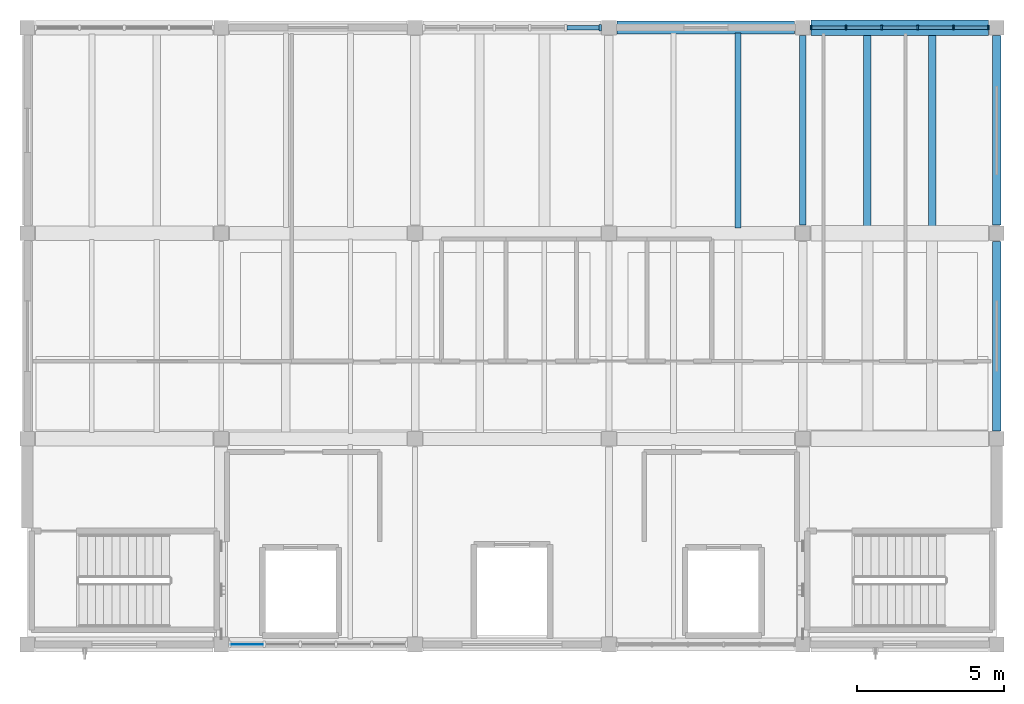
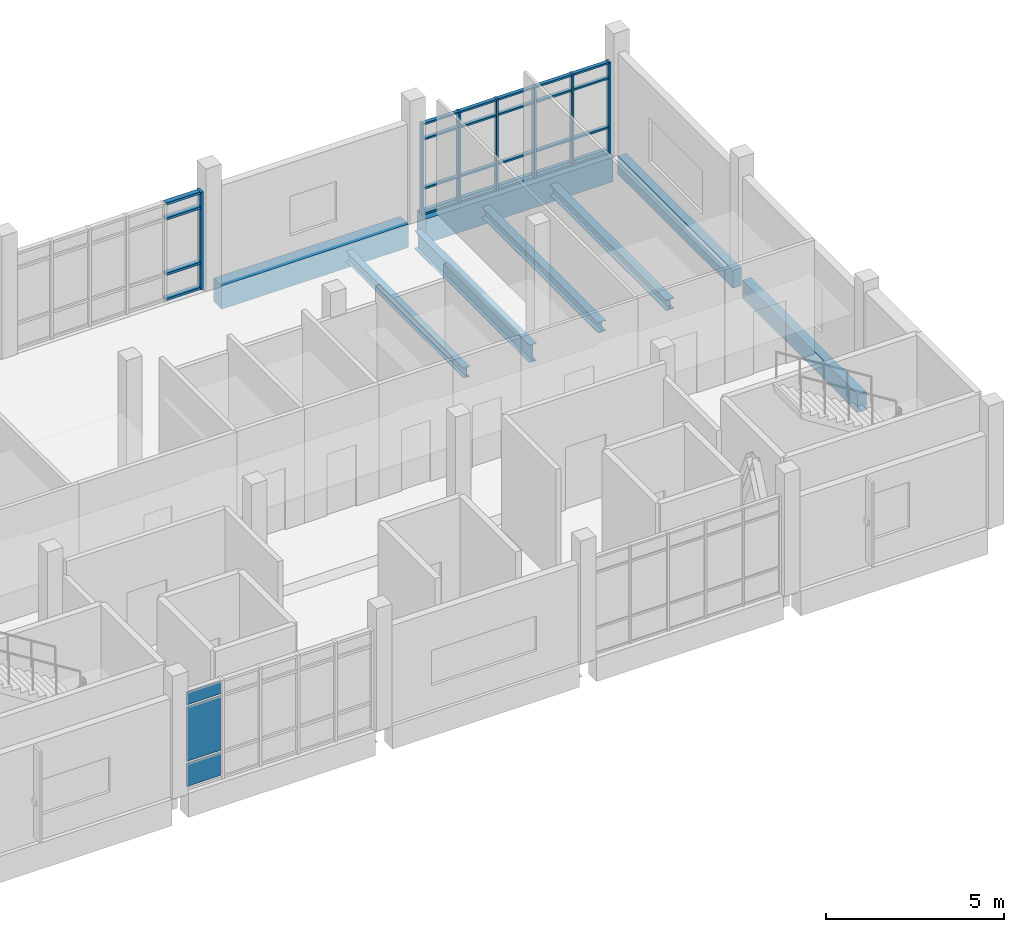
# One storey, part 4 of 10: 31 members, 8 beams, 3 plates, 3 elements without a shape of their own.
"""IFC4 building model written with IfcOpenShell, lengths in metres."""

from ifc_helpers import new_model, si_unit, direction, frame, origin, origin_2d, place, context, subcontext, project, spatial, rectangle, i_section, extrude, material, layer, layer_set, material_profile, profile_set, type_object, element, aggregate, save


model = new_model("IFC4")

# Units and contexts
model_context = context("Model", 3, precision=1e-05, world=origin(), true_north=direction((0.0, 1.0)))
body_context = subcontext(model_context, "Body", "Model", "MODEL_VIEW")
ifc_project = project(units=[si_unit("LENGTHUNIT", "METRE"), si_unit("AREAUNIT", "SQUARE_METRE"), si_unit("VOLUMEUNIT", "CUBIC_METRE"), si_unit("PLANEANGLEUNIT", "RADIAN"), si_unit("MASSUNIT", "GRAM", prefix="KILO")], contexts=[model_context])

# Site, building, storey
site_placement = place(None, origin())
site = spatial("IfcSite", under=ifc_project, at=site_placement, CompositionType="ELEMENT")
building_placement = place(site_placement, origin())
building = spatial("IfcBuilding", under=site, at=building_placement, Name="Ciguamira Faculty of Natural Sciences", CompositionType="ELEMENT")
storey_placement = place(building_placement, frame((0.0, 0.0, 42.0)))
storey = spatial("IfcBuildingStorey", under=building, at=storey_placement, Name="L10", CompositionType="ELEMENT", Elevation=42.0)

# Curtain wall, members
ifc_material_1 = material(Name="Anodized aluminium curtain wall", Category="aluminium")
curtain_wall_type_1 = type_object("IfcCurtainWallType", Name="CurtainWall_CW-01", PredefinedType="USERDEFINED", material=ifc_material_1)
curtain_wall_1_placement = place(storey_placement, origin())
curtain_wall_1 = element("IfcCurtainWall", 1, at=curtain_wall_1_placement, inside=storey, type_object=curtain_wall_type_1, Name="L10 unitised curtain wall 0169", ObjectType="UNITISED CURTAIN WALL", PredefinedType="USERDEFINED")
ifc_material_2 = material(Name="Anodized aluminium mullion", Category="aluminium")
ifc_material_profile_1 = material_profile(ifc_material_2, rectangle(XDim=0.06005859375, YDim=0.159912109375, at=origin_2d()), Name="ALU-MUL-60X160")
ifc_profile_set_1 = profile_set([ifc_material_profile_1], Name="Anodized aluminium mullion")
member_type_1 = type_object("IfcMemberType", Name="CWMullion_CWM-01", PredefinedType="MULLION", material=ifc_profile_set_1)
member_1_placement = place(storey_placement, frame((97.179931640625, 115.0, 0.0), z_axis=(0.0, 0.0, 1.0), x_axis=(1.0, 0.0, 0.0)))
member_1 = element("IfcMember", 2, at=member_1_placement, type_object=member_type_1, Name="CW-01 mullion 1", PredefinedType="MULLION", context=body_context, shape_type="SweptSolid", body=[
    extrude(rectangle(XDim=0.06005859375, YDim=0.159912109375, at=origin_2d()), origin(), (0.0, 0.0, 1.0), 3.135009765625),
])
member_2_placement = place(storey_placement, frame((98.3701171875, 115.0, 0.0), z_axis=(0.0, 0.0, 1.0), x_axis=(1.0, 0.0, 0.0)))
member_2 = element("IfcMember", 3, at=member_2_placement, type_object=member_type_1, Name="CW-01 mullion 2", PredefinedType="MULLION", context=body_context, shape_type="SweptSolid", body=[
    extrude(rectangle(XDim=0.06005859375, YDim=0.159912109375, at=origin_2d()), origin(), (0.0, 0.0, 1.0), 3.135009765625),
])
member_3_placement = place(storey_placement, frame((99.590087890625, 115.0, 0.0), z_axis=(0.0, 0.0, 1.0), x_axis=(1.0, 0.0, 0.0)))
member_3 = element("IfcMember", 4, at=member_3_placement, type_object=member_type_1, Name="CW-01 mullion 3", PredefinedType="MULLION", context=body_context, shape_type="SweptSolid", body=[
    extrude(rectangle(XDim=0.06005859375, YDim=0.159912109375, at=origin_2d()), origin(), (0.0, 0.0, 1.0), 3.135009765625),
])
member_4_placement = place(storey_placement, frame((100.81005859375, 115.0, 0.0), z_axis=(0.0, 0.0, 1.0), x_axis=(1.0, 0.0, 0.0)))
member_4 = element("IfcMember", 5, at=member_4_placement, type_object=member_type_1, Name="CW-01 mullion 4", PredefinedType="MULLION", context=body_context, shape_type="SweptSolid", body=[
    extrude(rectangle(XDim=0.06005859375, YDim=0.159912109375, at=origin_2d()), origin(), (0.0, 0.0, 1.0), 3.135009765625),
])
member_5_placement = place(storey_placement, frame((102.030029296875, 115.0, 0.0), z_axis=(0.0, 0.0, 1.0), x_axis=(1.0, 0.0, 0.0)))
member_5 = element("IfcMember", 6, at=member_5_placement, type_object=member_type_1, Name="CW-01 mullion 5", PredefinedType="MULLION", context=body_context, shape_type="SweptSolid", body=[
    extrude(rectangle(XDim=0.06005859375, YDim=0.159912109375, at=origin_2d()), origin(), (0.0, 0.0, 1.0), 3.135009765625),
])
member_6_placement = place(storey_placement, frame((103.219970703125, 115.0, 0.0), z_axis=(0.0, 0.0, 1.0), x_axis=(1.0, 0.0, 0.0)))
member_6 = element("IfcMember", 7, at=member_6_placement, type_object=member_type_1, Name="CW-01 mullion 6", PredefinedType="MULLION", context=body_context, shape_type="SweptSolid", body=[
    extrude(rectangle(XDim=0.06005859375, YDim=0.159912109375, at=origin_2d()), origin(), (0.0, 0.0, 1.0), 3.135009765625),
])

# Curtain wall, member
curtain_wall_type_2 = type_object("IfcCurtainWallType", Name="CurtainWall_CW-12", PredefinedType="USERDEFINED", material=ifc_material_1)
curtain_wall_2_placement = place(storey_placement, origin())
curtain_wall_2 = element("IfcCurtainWall", 8, at=curtain_wall_2_placement, inside=storey, type_object=curtain_wall_type_2, Name="L10 unitised curtain wall 0168", ObjectType="UNITISED CURTAIN WALL", PredefinedType="USERDEFINED")
ifc_material_profile_2 = material_profile(ifc_material_2, rectangle(XDim=0.080078125, YDim=0.219970703125, at=origin_2d()), Name="ALU-MUL-80X220")
ifc_profile_set_2 = profile_set([ifc_material_profile_2], Name="Anodized aluminium mullion")
member_type_2 = type_object("IfcMemberType", Name="CWMullion_CWM-03", PredefinedType="MULLION", material=ifc_profile_set_2)
member_7_placement = place(storey_placement, frame((90.010009765625, 115.0, 0.0), z_axis=(0.0, 0.0, 1.0), x_axis=(1.0, 0.0, 0.0)))
member_7 = element("IfcMember", 9, at=member_7_placement, type_object=member_type_2, Name="CW-12 mullion 6", PredefinedType="MULLION", context=body_context, shape_type="SweptSolid", body=[
    extrude(rectangle(XDim=0.080078125, YDim=0.219970703125, at=origin_2d()), origin(), (0.0, 0.0, 1.0), 3.344970703125),
])

# Member
ifc_material_3 = material(Name="Anodized aluminium transom", Category="aluminium")
ifc_material_profile_3 = material_profile(ifc_material_3, rectangle(XDim=0.06005859375, YDim=0.1201171875, at=origin_2d()), Name="ALU-TRN-60X120")
ifc_profile_set_3 = profile_set([ifc_material_profile_3], Name="Anodized aluminium transom")
member_type_3 = type_object("IfcMemberType", Name="CWTransom_CWT-01", PredefinedType="USERDEFINED", material=ifc_profile_set_3)
member_8_placement = place(storey_placement, frame((97.2099609375, 115.0, 0.030029296875), z_axis=(1.0, 0.0, 0.0), x_axis=(0.0, 0.0, 1.0)))
member_8 = element("IfcMember", 10, at=member_8_placement, type_object=member_type_3, Name="CW-01 transom 1.1", ObjectType="TRANSOM", PredefinedType="USERDEFINED", context=body_context, shape_type="SweptSolid", body=[
    extrude(rectangle(XDim=0.06005859375, YDim=0.1201171875, at=origin_2d()), origin(), (0.0, 0.0, 1.0), 1.130126953125),
])

member_9_placement = place(storey_placement, frame((97.2099609375, 115.0, 0.89990234375), z_axis=(1.0, 0.0, 0.0), x_axis=(0.0, 0.0, 1.0)))
member_9 = element("IfcMember", 11, at=member_9_placement, type_object=member_type_3, Name="CW-01 transom 1.2", ObjectType="TRANSOM", PredefinedType="USERDEFINED", context=body_context, shape_type="SweptSolid", body=[
    extrude(rectangle(XDim=0.06005859375, YDim=0.1201171875, at=origin_2d()), origin(), (0.0, 0.0, 1.0), 1.130126953125),
])

member_10_placement = place(storey_placement, frame((97.2099609375, 115.0, 2.5849609375), z_axis=(1.0, 0.0, 0.0), x_axis=(0.0, 0.0, 1.0)))
member_10 = element("IfcMember", 12, at=member_10_placement, type_object=member_type_3, Name="CW-01 transom 1.3", ObjectType="TRANSOM", PredefinedType="USERDEFINED", context=body_context, shape_type="SweptSolid", body=[
    extrude(rectangle(XDim=0.06005859375, YDim=0.1201171875, at=origin_2d()), origin(), (0.0, 0.0, 1.0), 1.130126953125),
])

member_11_placement = place(storey_placement, frame((97.2099609375, 115.0, 3.10498046875), z_axis=(1.0, 0.0, 0.0), x_axis=(0.0, 0.0, 1.0)))
member_11 = element("IfcMember", 13, at=member_11_placement, type_object=member_type_3, Name="CW-01 transom 1.4", ObjectType="TRANSOM", PredefinedType="USERDEFINED", context=body_context, shape_type="SweptSolid", body=[
    extrude(rectangle(XDim=0.06005859375, YDim=0.1201171875, at=origin_2d()), origin(), (0.0, 0.0, 1.0), 1.130126953125),
])

member_12_placement = place(storey_placement, frame((98.39990234375, 115.0, 0.030029296875), z_axis=(1.0, 0.0, 0.0), x_axis=(0.0, 0.0, 1.0)))
member_12 = element("IfcMember", 14, at=member_12_placement, type_object=member_type_3, Name="CW-01 transom 2.1", ObjectType="TRANSOM", PredefinedType="USERDEFINED", context=body_context, shape_type="SweptSolid", body=[
    extrude(rectangle(XDim=0.06005859375, YDim=0.1201171875, at=origin_2d()), origin(), (0.0, 0.0, 1.0), 1.16015625),
])

member_13_placement = place(storey_placement, frame((98.39990234375, 115.0, 0.89990234375), z_axis=(1.0, 0.0, 0.0), x_axis=(0.0, 0.0, 1.0)))
member_13 = element("IfcMember", 15, at=member_13_placement, type_object=member_type_3, Name="CW-01 transom 2.2", ObjectType="TRANSOM", PredefinedType="USERDEFINED", context=body_context, shape_type="SweptSolid", body=[
    extrude(rectangle(XDim=0.06005859375, YDim=0.1201171875, at=origin_2d()), origin(), (0.0, 0.0, 1.0), 1.16015625),
])

member_14_placement = place(storey_placement, frame((98.39990234375, 115.0, 2.5849609375), z_axis=(1.0, 0.0, 0.0), x_axis=(0.0, 0.0, 1.0)))
member_14 = element("IfcMember", 16, at=member_14_placement, type_object=member_type_3, Name="CW-01 transom 2.3", ObjectType="TRANSOM", PredefinedType="USERDEFINED", context=body_context, shape_type="SweptSolid", body=[
    extrude(rectangle(XDim=0.06005859375, YDim=0.1201171875, at=origin_2d()), origin(), (0.0, 0.0, 1.0), 1.16015625),
])

member_15_placement = place(storey_placement, frame((98.39990234375, 115.0, 3.10498046875), z_axis=(1.0, 0.0, 0.0), x_axis=(0.0, 0.0, 1.0)))
member_15 = element("IfcMember", 17, at=member_15_placement, type_object=member_type_3, Name="CW-01 transom 2.4", ObjectType="TRANSOM", PredefinedType="USERDEFINED", context=body_context, shape_type="SweptSolid", body=[
    extrude(rectangle(XDim=0.06005859375, YDim=0.1201171875, at=origin_2d()), origin(), (0.0, 0.0, 1.0), 1.16015625),
])

member_16_placement = place(storey_placement, frame((99.6201171875, 115.0, 0.030029296875), z_axis=(1.0, 0.0, 0.0), x_axis=(0.0, 0.0, 1.0)))
member_16 = element("IfcMember", 18, at=member_16_placement, type_object=member_type_3, Name="CW-01 transom 3.1", ObjectType="TRANSOM", PredefinedType="USERDEFINED", context=body_context, shape_type="SweptSolid", body=[
    extrude(rectangle(XDim=0.06005859375, YDim=0.1201171875, at=origin_2d()), origin(), (0.0, 0.0, 1.0), 1.159912109375),
])

member_17_placement = place(storey_placement, frame((99.6201171875, 115.0, 0.89990234375), z_axis=(1.0, 0.0, 0.0), x_axis=(0.0, 0.0, 1.0)))
member_17 = element("IfcMember", 19, at=member_17_placement, type_object=member_type_3, Name="CW-01 transom 3.2", ObjectType="TRANSOM", PredefinedType="USERDEFINED", context=body_context, shape_type="SweptSolid", body=[
    extrude(rectangle(XDim=0.06005859375, YDim=0.1201171875, at=origin_2d()), origin(), (0.0, 0.0, 1.0), 1.159912109375),
])

member_18_placement = place(storey_placement, frame((99.6201171875, 115.0, 2.5849609375), z_axis=(1.0, 0.0, 0.0), x_axis=(0.0, 0.0, 1.0)))
member_18 = element("IfcMember", 20, at=member_18_placement, type_object=member_type_3, Name="CW-01 transom 3.3", ObjectType="TRANSOM", PredefinedType="USERDEFINED", context=body_context, shape_type="SweptSolid", body=[
    extrude(rectangle(XDim=0.06005859375, YDim=0.1201171875, at=origin_2d()), origin(), (0.0, 0.0, 1.0), 1.159912109375),
])

member_19_placement = place(storey_placement, frame((99.6201171875, 115.0, 3.10498046875), z_axis=(1.0, 0.0, 0.0), x_axis=(0.0, 0.0, 1.0)))
member_19 = element("IfcMember", 21, at=member_19_placement, type_object=member_type_3, Name="CW-01 transom 3.4", ObjectType="TRANSOM", PredefinedType="USERDEFINED", context=body_context, shape_type="SweptSolid", body=[
    extrude(rectangle(XDim=0.06005859375, YDim=0.1201171875, at=origin_2d()), origin(), (0.0, 0.0, 1.0), 1.159912109375),
])

member_20_placement = place(storey_placement, frame((100.840087890625, 115.0, 0.030029296875), z_axis=(1.0, 0.0, 0.0), x_axis=(0.0, 0.0, 1.0)))
member_20 = element("IfcMember", 22, at=member_20_placement, type_object=member_type_3, Name="CW-01 transom 4.1", ObjectType="TRANSOM", PredefinedType="USERDEFINED", context=body_context, shape_type="SweptSolid", body=[
    extrude(rectangle(XDim=0.06005859375, YDim=0.1201171875, at=origin_2d()), origin(), (0.0, 0.0, 1.0), 1.159912109375),
])

member_21_placement = place(storey_placement, frame((100.840087890625, 115.0, 0.89990234375), z_axis=(1.0, 0.0, 0.0), x_axis=(0.0, 0.0, 1.0)))
member_21 = element("IfcMember", 23, at=member_21_placement, type_object=member_type_3, Name="CW-01 transom 4.2", ObjectType="TRANSOM", PredefinedType="USERDEFINED", context=body_context, shape_type="SweptSolid", body=[
    extrude(rectangle(XDim=0.06005859375, YDim=0.1201171875, at=origin_2d()), origin(), (0.0, 0.0, 1.0), 1.159912109375),
])

member_22_placement = place(storey_placement, frame((100.840087890625, 115.0, 2.5849609375), z_axis=(1.0, 0.0, 0.0), x_axis=(0.0, 0.0, 1.0)))
member_22 = element("IfcMember", 24, at=member_22_placement, type_object=member_type_3, Name="CW-01 transom 4.3", ObjectType="TRANSOM", PredefinedType="USERDEFINED", context=body_context, shape_type="SweptSolid", body=[
    extrude(rectangle(XDim=0.06005859375, YDim=0.1201171875, at=origin_2d()), origin(), (0.0, 0.0, 1.0), 1.159912109375),
])

member_23_placement = place(storey_placement, frame((100.840087890625, 115.0, 3.10498046875), z_axis=(1.0, 0.0, 0.0), x_axis=(0.0, 0.0, 1.0)))
member_23 = element("IfcMember", 25, at=member_23_placement, type_object=member_type_3, Name="CW-01 transom 4.4", ObjectType="TRANSOM", PredefinedType="USERDEFINED", context=body_context, shape_type="SweptSolid", body=[
    extrude(rectangle(XDim=0.06005859375, YDim=0.1201171875, at=origin_2d()), origin(), (0.0, 0.0, 1.0), 1.159912109375),
])

member_24_placement = place(storey_placement, frame((102.06005859375, 115.0, 0.030029296875), z_axis=(1.0, 0.0, 0.0), x_axis=(0.0, 0.0, 1.0)))
member_24 = element("IfcMember", 26, at=member_24_placement, type_object=member_type_3, Name="CW-01 transom 5.1", ObjectType="TRANSOM", PredefinedType="USERDEFINED", context=body_context, shape_type="SweptSolid", body=[
    extrude(rectangle(XDim=0.06005859375, YDim=0.1201171875, at=origin_2d()), origin(), (0.0, 0.0, 1.0), 1.1298828125),
])

member_25_placement = place(storey_placement, frame((102.06005859375, 115.0, 0.89990234375), z_axis=(1.0, 0.0, 0.0), x_axis=(0.0, 0.0, 1.0)))
member_25 = element("IfcMember", 27, at=member_25_placement, type_object=member_type_3, Name="CW-01 transom 5.2", ObjectType="TRANSOM", PredefinedType="USERDEFINED", context=body_context, shape_type="SweptSolid", body=[
    extrude(rectangle(XDim=0.06005859375, YDim=0.1201171875, at=origin_2d()), origin(), (0.0, 0.0, 1.0), 1.1298828125),
])

member_26_placement = place(storey_placement, frame((102.06005859375, 115.0, 2.5849609375), z_axis=(1.0, 0.0, 0.0), x_axis=(0.0, 0.0, 1.0)))
member_26 = element("IfcMember", 28, at=member_26_placement, type_object=member_type_3, Name="CW-01 transom 5.3", ObjectType="TRANSOM", PredefinedType="USERDEFINED", context=body_context, shape_type="SweptSolid", body=[
    extrude(rectangle(XDim=0.06005859375, YDim=0.1201171875, at=origin_2d()), origin(), (0.0, 0.0, 1.0), 1.1298828125),
])

member_27_placement = place(storey_placement, frame((102.06005859375, 115.0, 3.10498046875), z_axis=(1.0, 0.0, 0.0), x_axis=(0.0, 0.0, 1.0)))
member_27 = element("IfcMember", 29, at=member_27_placement, type_object=member_type_3, Name="CW-01 transom 5.4", ObjectType="TRANSOM", PredefinedType="USERDEFINED", context=body_context, shape_type="SweptSolid", body=[
    extrude(rectangle(XDim=0.06005859375, YDim=0.1201171875, at=origin_2d()), origin(), (0.0, 0.0, 1.0), 1.1298828125),
])

aggregate(curtain_wall_1, [member_1, member_2, member_3, member_4, member_5, member_6, member_8, member_9, member_10, member_11, member_12, member_13, member_14, member_15, member_16, member_17, member_18, member_19, member_20, member_21, member_22, member_23, member_24, member_25, member_26, member_27])

ifc_material_profile_4 = material_profile(ifc_material_3, rectangle(XDim=0.080078125, YDim=0.159912109375, at=origin_2d()), Name="ALU-TRN-80X160")
ifc_profile_set_4 = profile_set([ifc_material_profile_4], Name="Anodized aluminium transom")
member_type_4 = type_object("IfcMemberType", Name="CWTransom_CWT-03", PredefinedType="USERDEFINED", material=ifc_profile_set_4)
member_28_placement = place(storey_placement, frame((88.8701171875, 115.0, 0.0400390625), z_axis=(1.0, 0.0, 0.0), x_axis=(0.0, 0.0, 1.0)))
member_28 = element("IfcMember", 30, at=member_28_placement, type_object=member_type_4, Name="CW-12 transom 5.1", ObjectType="TRANSOM", PredefinedType="USERDEFINED", context=body_context, shape_type="SweptSolid", body=[
    extrude(rectangle(XDim=0.080078125, YDim=0.159912109375, at=origin_2d()), origin(), (0.0, 0.0, 1.0), 1.099853515625),
])

member_29_placement = place(storey_placement, frame((88.8701171875, 115.0, 0.89990234375), z_axis=(1.0, 0.0, 0.0), x_axis=(0.0, 0.0, 1.0)))
member_29 = element("IfcMember", 31, at=member_29_placement, type_object=member_type_4, Name="CW-12 transom 5.2", ObjectType="TRANSOM", PredefinedType="USERDEFINED", context=body_context, shape_type="SweptSolid", body=[
    extrude(rectangle(XDim=0.080078125, YDim=0.159912109375, at=origin_2d()), origin(), (0.0, 0.0, 1.0), 1.099853515625),
])

member_30_placement = place(storey_placement, frame((88.8701171875, 115.0, 2.794921875), z_axis=(1.0, 0.0, 0.0), x_axis=(0.0, 0.0, 1.0)))
member_30 = element("IfcMember", 32, at=member_30_placement, type_object=member_type_4, Name="CW-12 transom 5.3", ObjectType="TRANSOM", PredefinedType="USERDEFINED", context=body_context, shape_type="SweptSolid", body=[
    extrude(rectangle(XDim=0.080078125, YDim=0.159912109375, at=origin_2d()), origin(), (0.0, 0.0, 1.0), 1.099853515625),
])

member_31_placement = place(storey_placement, frame((88.8701171875, 115.0, 3.304931640625), z_axis=(1.0, 0.0, 0.0), x_axis=(0.0, 0.0, 1.0)))
member_31 = element("IfcMember", 33, at=member_31_placement, type_object=member_type_4, Name="CW-12 transom 5.4", ObjectType="TRANSOM", PredefinedType="USERDEFINED", context=body_context, shape_type="SweptSolid", body=[
    extrude(rectangle(XDim=0.080078125, YDim=0.159912109375, at=origin_2d()), origin(), (0.0, 0.0, 1.0), 1.099853515625),
])

aggregate(curtain_wall_2, [member_7, member_28, member_29, member_30, member_31])

# Beams
ifc_material_4 = material(Name="Concrete C40/50", Category="concrete")
ifc_material_profile_5 = material_profile(ifc_material_4, rectangle(XDim=0.449951171875, YDim=0.800048828125, at=origin_2d()), Name="RC-BM-450X800")
ifc_profile_set_5 = profile_set([ifc_material_profile_5], Name="Concrete C40/50")
beam_type_1 = type_object("IfcBeamType", Name="RCBeam_BG-05_RC-BM-450X800", PredefinedType="BEAM", material=ifc_profile_set_5)
beam_1_placement = place(storey_placement, frame((90.574951171875, 115.0, -0.39990234375), z_axis=(1.0, 0.0, 0.0), x_axis=(0.0, 1.0, 0.0)))
element("IfcBeam", 34, at=beam_1_placement, inside=storey, type_object=beam_type_1, Name="L10 RC girder EW-1692", PredefinedType="BEAM", context=body_context, shape_type="SweptSolid", body=[
    extrude(rectangle(XDim=0.449951171875, YDim=0.800048828125, at=origin_2d()), origin(), (0.0, 0.0, 1.0), 6.050048828125),
])
ifc_material_5 = material(Name="Precast concrete C40/50", Category="concrete")
ifc_material_profile_6 = material_profile(ifc_material_5, rectangle(XDim=0.280029296875, YDim=0.6201171875, at=origin_2d()), Name="RC-SP-280X620")
ifc_profile_set_6 = profile_set([ifc_material_profile_6], Name="Precast concrete C40/50")
beam_type_2 = type_object("IfcBeamType", Name="RCBeam_SP-01_RC-SP-280X620", PredefinedType="SPANDREL", material=ifc_profile_set_6)
for number, where, z_axis, x_axis, name in (
    (35, (103.5, 101.27490234375, -0.31005859375), (0.0, 1.0, 0.0), (-1.0, 0.0, 0.0), "L10 girder NS-1706"),
    (36, (103.5, 108.27490234375, -0.31005859375), (0.0, 1.0, 0.0), (-1.0, 0.0, 0.0), "L10 girder NS-1707"),
):
    element("IfcBeam", number, at=place(storey_placement, frame(where, z_axis=z_axis, x_axis=x_axis)), inside=storey, type_object=beam_type_2, Name=name, PredefinedType="SPANDREL", context=body_context, shape_type="SweptSolid", body=[
        extrude(rectangle(XDim=0.280029296875, YDim=0.6201171875, at=origin_2d()), origin(), (0.0, 0.0, 1.0), 6.4501953125),
    ])
ifc_material_profile_7 = material_profile(ifc_material_4, rectangle(XDim=0.52001953125, YDim=0.840087890625, at=origin_2d()), Name="RC-TB-520X840")
ifc_profile_set_7 = profile_set([ifc_material_profile_7], Name="Concrete C40/50")
beam_type_3 = type_object("IfcBeamType", Name="RCBeam_TB-02_RC-TB-520X840", PredefinedType="T_BEAM", material=ifc_profile_set_7)
beam_2_placement = place(storey_placement, frame((97.175048828125, 115.0, -0.419921875), z_axis=(1.0, 0.0, 0.0), x_axis=(0.0, 1.0, 0.0)))
element("IfcBeam", 37, at=beam_2_placement, inside=storey, type_object=beam_type_3, Name="L10 RC girder EW-1693", PredefinedType="T_BEAM", context=body_context, shape_type="SweptSolid", body=[
    extrude(rectangle(XDim=0.52001953125, YDim=0.840087890625, at=origin_2d()), origin(), (0.0, 0.0, 1.0), 6.050048828125),
])
ifc_material_6 = material(Name="Steel ASTM A992 Grade 50", Category="steel")
ifc_material_profile_8 = material_profile(ifc_material_6, i_section(OverallWidth=0.227783203125, OverallDepth=0.60205078125, WebThickness=0.010498046875, FlangeThickness=0.014892578125, at=origin_2d()), Name="W24X68")
ifc_profile_set_8 = profile_set([ifc_material_profile_8], Name="Steel ASTM A992 Grade 50")
beam_type_4 = type_object("IfcBeamType", Name="SteelGirder_SB-32_W24X68", PredefinedType="BEAM", material=ifc_profile_set_8)
beam_3_placement = place(storey_placement, frame((96.89990234375, 108.27490234375, -0.56103515625), z_axis=(0.0, 1.0, 0.0), x_axis=(-1.0, 0.0, 0.0)))
element("IfcBeam", 38, at=beam_3_placement, inside=storey, type_object=beam_type_4, Name="L10 girder NS-1705", PredefinedType="BEAM", context=body_context, shape_type="SweptSolid", body=[
    extrude(i_section(OverallWidth=0.227783203125, OverallDepth=0.60205078125, WebThickness=0.010498046875, FlangeThickness=0.014892578125, at=origin_2d()), origin(), (0.0, 0.0, 1.0), 6.4501953125),
])
ifc_material_profile_9 = material_profile(ifc_material_6, i_section(OverallWidth=0.203125, OverallDepth=0.347900390625, WebThickness=0.0078125, FlangeThickness=0.013427734375, at=origin_2d()), Name="W14X43")
ifc_profile_set_9 = profile_set([ifc_material_profile_9], Name="Steel ASTM A992 Grade 50")
beam_type_5 = type_object("IfcBeamType", Name="SteelJoist_SJ-12_W14X43", PredefinedType="JOIST", material=ifc_profile_set_9)
beam_4_placement = place(storey_placement, frame((94.699951171875, 108.18505859375, -0.39404296875), z_axis=(0.0, 1.0, 0.0), x_axis=(-1.0, 0.0, 0.0)))
element("IfcBeam", 39, at=beam_4_placement, inside=storey, type_object=beam_type_5, Name="L10 composite steel joist 01523", PredefinedType="JOIST", context=body_context, shape_type="SweptSolid", body=[
    extrude(i_section(OverallWidth=0.203125, OverallDepth=0.347900390625, WebThickness=0.0078125, FlangeThickness=0.013427734375, at=origin_2d()), origin(), (0.0, 0.0, 1.0), 6.6298828125),
])
ifc_material_profile_10 = material_profile(ifc_material_6, i_section(OverallWidth=0.25390625, OverallDepth=0.355712890625, WebThickness=0.010498046875, FlangeThickness=0.018310546875, at=origin_2d()), Name="W14X68")
ifc_profile_set_10 = profile_set([ifc_material_profile_10], Name="Steel ASTM A992 Grade 50")
beam_type_6 = type_object("IfcBeamType", Name="SteelJoist_SJ-14_W14X68", PredefinedType="JOIST", material=ifc_profile_set_10)
beam_5_placement = place(storey_placement, frame((99.10009765625, 108.219970703125, -0.397705078125), z_axis=(0.0, 1.0, 0.0), x_axis=(-1.0, 0.0, 0.0)))
element("IfcBeam", 40, at=beam_5_placement, inside=storey, type_object=beam_type_6, Name="L10 composite steel joist 01526", PredefinedType="JOIST", context=body_context, shape_type="SweptSolid", body=[
    extrude(i_section(OverallWidth=0.25390625, OverallDepth=0.355712890625, WebThickness=0.010498046875, FlangeThickness=0.018310546875, at=origin_2d()), origin(), (0.0, 0.0, 1.0), 6.56005859375),
])
ifc_material_profile_11 = material_profile(ifc_material_6, i_section(OverallWidth=0.256591796875, OverallDepth=0.36328125, WebThickness=0.012939453125, FlangeThickness=0.021728515625, at=origin_2d()), Name="W14X82")
ifc_profile_set_11 = profile_set([ifc_material_profile_11], Name="Steel ASTM A992 Grade 50")
beam_type_7 = type_object("IfcBeamType", Name="SteelJoist_SJ-15_W14X82", PredefinedType="JOIST", material=ifc_profile_set_11)
beam_6_placement = place(storey_placement, frame((101.300048828125, 108.219970703125, -0.401611328125), z_axis=(0.0, 1.0, 0.0), x_axis=(-1.0, 0.0, 0.0)))
element("IfcBeam", 41, at=beam_6_placement, inside=storey, type_object=beam_type_7, Name="L10 composite steel joist 01527", PredefinedType="JOIST", context=body_context, shape_type="SweptSolid", body=[
    extrude(i_section(OverallWidth=0.256591796875, OverallDepth=0.36328125, WebThickness=0.012939453125, FlangeThickness=0.021728515625, at=origin_2d()), origin(), (0.0, 0.0, 1.0), 6.56005859375),
])

# Curtain wall, plates
curtain_wall_type_3 = type_object("IfcCurtainWallType", Name="CurtainWall_CW-09", PredefinedType="USERDEFINED", material=ifc_material_1)
curtain_wall_3_placement = place(storey_placement, origin())
curtain_wall_3 = element("IfcCurtainWall", 42, at=curtain_wall_3_placement, inside=storey, type_object=curtain_wall_type_3, Name="L10 unitised curtain wall 0165", ObjectType="UNITISED CURTAIN WALL", PredefinedType="USERDEFINED")
ifc_material_7 = material(Name="Low-E laminated solar glass", Category="glass")
ifc_layer = layer(ifc_material_7, 0.028076171875, Name="Low-E laminated solar glass")
ifc_layer_set = layer_set([ifc_layer], Name="Low-E laminated solar glass")
plate_type = type_object("IfcPlateType", Name="CWPanel_CWP-01", PredefinedType="CURTAIN_PANEL", material=ifc_layer_set)
plate_1_placement = place(storey_placement, frame((77.97998046875, 94.0, 0.080078125), z_axis=(0.0, 0.0, 1.0), x_axis=(1.0, 0.0, 0.0)))
plate_1 = element("IfcPlate", 43, at=plate_1_placement, type_object=plate_type, Name="CW-09 panel 1.1", PredefinedType="CURTAIN_PANEL", context=body_context, shape_type="SweptSolid", body=[
    extrude(rectangle(XDim=1.10009765625, YDim=0.028076171875, at=origin_2d()), origin(), (0.0, 0.0, 1.0), 0.780029296875),
])
plate_2_placement = place(storey_placement, frame((77.97998046875, 94.0, 0.93994140625), z_axis=(0.0, 0.0, 1.0), x_axis=(1.0, 0.0, 0.0)))
plate_2 = element("IfcPlate", 44, at=plate_2_placement, type_object=plate_type, Name="CW-09 panel 1.2", PredefinedType="CURTAIN_PANEL", context=body_context, shape_type="SweptSolid", body=[
    extrude(rectangle(XDim=1.10009765625, YDim=0.028076171875, at=origin_2d()), origin(), (0.0, 0.0, 1.0), 1.85498046875),
])
plate_3_placement = place(storey_placement, frame((77.97998046875, 94.0, 2.875), z_axis=(0.0, 0.0, 1.0), x_axis=(1.0, 0.0, 0.0)))
plate_3 = element("IfcPlate", 45, at=plate_3_placement, type_object=plate_type, Name="CW-09 panel 1.3", PredefinedType="CURTAIN_PANEL", context=body_context, shape_type="SweptSolid", body=[
    extrude(rectangle(XDim=1.10009765625, YDim=0.028076171875, at=origin_2d()), origin(), (0.0, 0.0, 1.0), 0.429931640625),
])
aggregate(curtain_wall_3, [plate_1, plate_2, plate_3])

save(model, "model.ifc")
